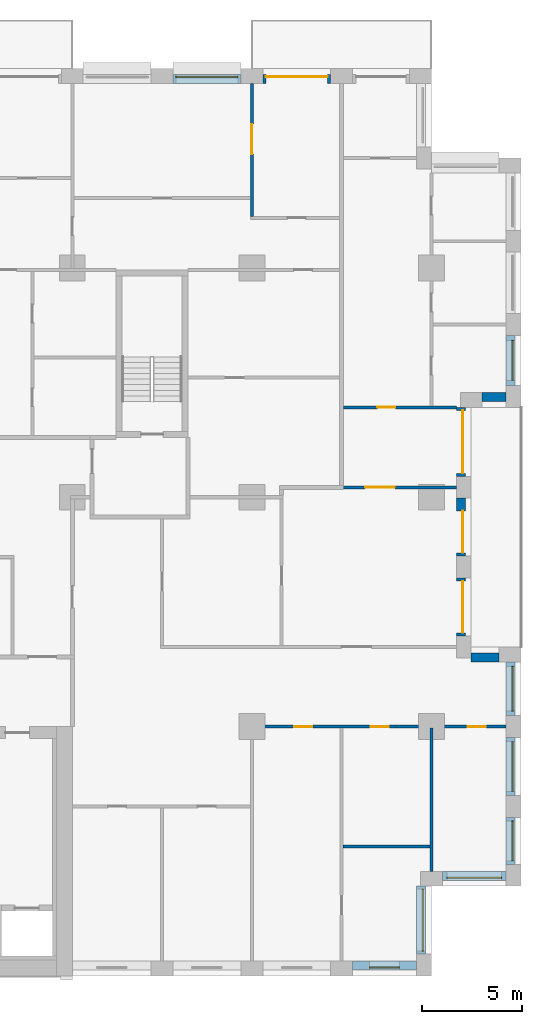
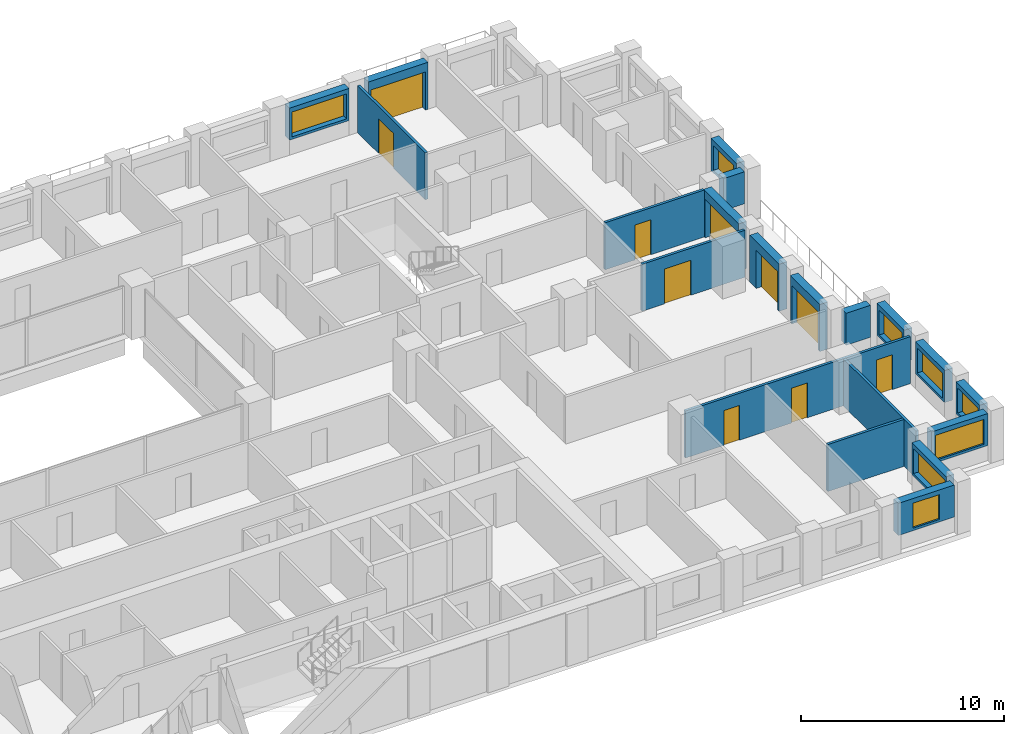
# One storey, part 14 of 16: 20 walls, 10 doors, 8 windows, 18 openings.
"""IFC4 building model written with IfcOpenShell, lengths in metres."""

from ifc_helpers import new_model, si_unit, direction, frame, frame_2d, origin, place, context, subcontext, project, spatial, rectangle, extrude, material, layer, layer_set, type_object, element, fill, save


model = new_model("IFC4")

# Units and contexts
model_context = context("Model", 3, precision=1e-05, world=origin(), true_north=direction((0.0, 1.0)))
body_context = subcontext(model_context, "Body", "Model", "MODEL_VIEW")
ifc_project = project(units=[si_unit("LENGTHUNIT", "METRE"), si_unit("AREAUNIT", "SQUARE_METRE"), si_unit("VOLUMEUNIT", "CUBIC_METRE"), si_unit("PLANEANGLEUNIT", "RADIAN"), si_unit("MASSUNIT", "GRAM", prefix="KILO")], contexts=[model_context])

# Site, building, storey
site_placement = place(None, origin())
site = spatial("IfcSite", under=ifc_project, at=site_placement, CompositionType="ELEMENT")
building_placement = place(site_placement, origin())
building = spatial("IfcBuilding", under=site, at=building_placement, Name="Brigalow Station Residences", CompositionType="ELEMENT")
storey_placement = place(building_placement, frame((0.0, 0.0, 115.050048828125)))
storey = spatial("IfcBuildingStorey", under=building, at=storey_placement, Name="L33", CompositionType="ELEMENT", Elevation=115.050048828125)

# Wall, opening, window
ifc_material_1 = material(Name="Clay brick masonry", Category="masonry")
ifc_layer_1 = layer(ifc_material_1, 0.449951171875)
ifc_layer_set_1 = layer_set([ifc_layer_1], Name="BRICK INFILL WALL 450")
wall_type_1 = type_object("IfcWallType", Name="BRICK INFILL WALL 450", PredefinedType="SOLIDWALL", material=ifc_layer_set_1)
wall_1_placement = place(storey_placement, frame((68.050048828125, 0.52490234375, 0.89990234375), z_axis=(0.0, 0.0, 1.0), x_axis=(1.0, 0.0, 0.0)))
wall_1 = element("IfcWall", 1, at=wall_1_placement, inside=storey, type_object=wall_type_1, Name="L33/ewall/W-L33-7", PredefinedType="SOLIDWALL", context=body_context, shape_type="SweptSolid", body=[
    extrude(rectangle(XDim=3.199951171875, YDim=0.449951171875, at=frame_2d((1.60009765625, 0.0))), origin(), (0.0, 0.0, 1.0), 1.929931640625),
])
opening_1_placement = place(wall_1_placement, frame((0.85009765625, 0.0, 0.14990234375)))
opening_1 = element("IfcOpeningElement", 2, at=opening_1_placement, cuts=wall_1, Name="Opening WT-1", PredefinedType="OPENING", context=body_context, shape_type="SweptSolid", body=[
    extrude(rectangle(XDim=1.5, YDim=1.5, at=frame_2d((0.75, 0.75))), frame((0.0, 0.23486328125, 0.0), z_axis=(0.0, -1.0, 0.0), x_axis=(1.0, 0.0, 0.0)), (0.0, 0.0, 1.0), 0.469970703125),
])
ifc_material_2 = material(Name="Anodised aluminium frame with double glazing", Category="aluminium")
window_type_1 = type_object("IfcWindowType", Name="WINDOW 1500x1500", PartitioningType="SINGLE_PANEL", PredefinedType="WINDOW", material=ifc_material_2)
window_1_placement = place(opening_1_placement, origin())
window_1 = element("IfcWindow", 3, at=window_1_placement, inside=storey, type_object=window_type_1, Name="L33/window/W-L33-7", OverallHeight=1.5, OverallWidth=1.5, PartitioningType="SINGLE_PANEL", PredefinedType="WINDOW", context=body_context, shape_type="SweptSolid", body=[
    extrude(rectangle(XDim=1.5, YDim=1.5, at=frame_2d((0.75, 0.75))), frame((0.0, -0.06494140625, 0.0), z_axis=(0.0, -1.0, 0.0), x_axis=(1.0, 0.0, 0.0)), (0.0, 0.0, 1.0), 0.06005859375),
])
fill(opening_1, window_1)

wall_2_placement = place(storey_placement, frame((71.47509765625, 1.10009765625, 0.89990234375), z_axis=(0.0, 0.0, 1.0), x_axis=(0.0, 1.0, 0.0)))
wall_2 = element("IfcWall", 4, at=wall_2_placement, inside=storey, type_object=wall_type_1, Name="L33/ewall/W-L33-8", PredefinedType="SOLIDWALL", context=body_context, shape_type="SweptSolid", body=[
    extrude(rectangle(XDim=3.39990234375, YDim=0.449951171875, at=frame_2d((1.699951171875, 0.0))), origin(), (0.0, 0.0, 1.0), 1.929931640625),
])
opening_2_placement = place(wall_2_placement, frame((0.14990234375, 0.0, 0.14990234375)))
opening_2 = element("IfcOpeningElement", 5, at=opening_2_placement, cuts=wall_2, Name="Opening WT-8", PredefinedType="OPENING", context=body_context, shape_type="SweptSolid", body=[
    extrude(rectangle(XDim=3.10009765625, YDim=1.5, at=frame_2d((1.550048828125, 0.75))), frame((0.0, 0.23486328125, 0.0), z_axis=(0.0, -1.0, 0.0), x_axis=(1.0, 0.0, 0.0)), (0.0, 0.0, 1.0), 0.469970703125),
])
ifc_material_3 = material(Name="Anodised aluminium frame with double glazing", Category="aluminium")
window_type_2 = type_object("IfcWindowType", Name="WINDOW 3100x1500", PartitioningType="SINGLE_PANEL", PredefinedType="WINDOW", material=ifc_material_3)
window_2_placement = place(opening_2_placement, origin())
window_2 = element("IfcWindow", 6, at=window_2_placement, inside=storey, type_object=window_type_2, Name="L33/window/W-L33-8", OverallHeight=1.5, OverallWidth=3.10009765625, PartitioningType="SINGLE_PANEL", PredefinedType="WINDOW", context=body_context, shape_type="SweptSolid", body=[
    extrude(rectangle(XDim=3.10009765625, YDim=1.5, at=frame_2d((1.550048828125, 0.75))), frame((0.0, -0.06494140625, 0.0), z_axis=(0.0, -1.0, 0.0), x_axis=(1.0, 0.0, 0.0)), (0.0, 0.0, 1.0), 0.06005859375),
])
fill(opening_2, window_2)

wall_3_placement = place(storey_placement, frame((72.550048828125, 5.02490234375, 0.89990234375), z_axis=(0.0, 0.0, 1.0), x_axis=(1.0, 0.0, 0.0)))
wall_3 = element("IfcWall", 7, at=wall_3_placement, inside=storey, type_object=wall_type_1, Name="L33/ewall/W-L33-9", PredefinedType="SOLIDWALL", context=body_context, shape_type="SweptSolid", body=[
    extrude(rectangle(XDim=3.199951171875, YDim=0.449951171875, at=frame_2d((1.60009765625, 0.0))), origin(), (0.0, 0.0, 1.0), 1.929931640625),
])
opening_3_placement = place(wall_3_placement, frame((0.22509765625, 0.0, 0.14990234375)))
opening_3 = element("IfcOpeningElement", 8, at=opening_3_placement, cuts=wall_3, Name="Opening WT-3", PredefinedType="OPENING", context=body_context, shape_type="SweptSolid", body=[
    extrude(rectangle(XDim=2.75, YDim=1.5, at=frame_2d((1.375, 0.75))), frame((0.0, 0.23486328125, 0.0), z_axis=(0.0, -1.0, 0.0), x_axis=(1.0, 0.0, 0.0)), (0.0, 0.0, 1.0), 0.469970703125),
])
ifc_material_4 = material(Name="Anodised aluminium frame with double glazing", Category="aluminium")
window_type_3 = type_object("IfcWindowType", Name="WINDOW 2750x1500", PartitioningType="SINGLE_PANEL", PredefinedType="WINDOW", material=ifc_material_4)
window_3_placement = place(opening_3_placement, origin())
window_3 = element("IfcWindow", 9, at=window_3_placement, inside=storey, type_object=window_type_3, Name="L33/window/W-L33-9", OverallHeight=1.5, OverallWidth=2.75, PartitioningType="SINGLE_PANEL", PredefinedType="WINDOW", context=body_context, shape_type="SweptSolid", body=[
    extrude(rectangle(XDim=2.75, YDim=1.5, at=frame_2d((1.375, 0.75))), frame((0.0, -0.06494140625, 0.0), z_axis=(0.0, -1.0, 0.0), x_axis=(1.0, 0.0, 0.0)), (0.0, 0.0, 1.0), 0.06005859375),
])
fill(opening_3, window_3)

wall_4_placement = place(storey_placement, frame((75.97509765625, 5.60009765625, 0.89990234375), z_axis=(0.0, 0.0, 1.0), x_axis=(0.0, 1.0, 0.0)))
wall_4 = element("IfcWall", 10, at=wall_4_placement, inside=storey, type_object=wall_type_1, Name="L33/ewall/W-L33-10", PredefinedType="SOLIDWALL", context=body_context, shape_type="SweptSolid", body=[
    extrude(rectangle(XDim=2.349853515625, YDim=0.449951171875, at=frame_2d((1.1748046875, 0.0))), origin(), (0.0, 0.0, 1.0), 1.929931640625),
])
opening_4_placement = place(wall_4_placement, frame((0.175048828125, 0.0, 0.14990234375)))
opening_4 = element("IfcOpeningElement", 11, at=opening_4_placement, cuts=wall_4, Name="Opening WT-7", PredefinedType="OPENING", context=body_context, shape_type="SweptSolid", body=[
    extrude(rectangle(XDim=2.0, YDim=1.5, at=frame_2d((1.0, 0.75))), frame((0.0, 0.23486328125, 0.0), z_axis=(0.0, -1.0, 0.0), x_axis=(1.0, 0.0, 0.0)), (0.0, 0.0, 1.0), 0.469970703125),
])
ifc_material_5 = material(Name="Anodised aluminium frame with double glazing", Category="aluminium")
window_type_4 = type_object("IfcWindowType", Name="WINDOW 2000x1500", PartitioningType="SINGLE_PANEL", PredefinedType="WINDOW", material=ifc_material_5)
window_4_placement = place(opening_4_placement, origin())
window_4 = element("IfcWindow", 12, at=window_4_placement, inside=storey, type_object=window_type_4, Name="L33/window/W-L33-10", OverallHeight=1.5, OverallWidth=2.0, PartitioningType="SINGLE_PANEL", PredefinedType="WINDOW", context=body_context, shape_type="SweptSolid", body=[
    extrude(rectangle(XDim=2.0, YDim=1.5, at=frame_2d((1.0, 0.75))), frame((0.0, -0.06494140625, 0.0), z_axis=(0.0, -1.0, 0.0), x_axis=(1.0, 0.0, 0.0)), (0.0, 0.0, 1.0), 0.06005859375),
])
fill(opening_4, window_4)

wall_5_placement = place(storey_placement, frame((75.97509765625, 9.050048828125, 0.89990234375), z_axis=(0.0, 0.0, 1.0), x_axis=(0.0, 1.0, 0.0)))
wall_5 = element("IfcWall", 13, at=wall_5_placement, inside=storey, type_object=wall_type_1, Name="L33/ewall/W-L33-11", PredefinedType="SOLIDWALL", context=body_context, shape_type="SweptSolid", body=[
    extrude(rectangle(XDim=2.89990234375, YDim=0.449951171875, at=frame_2d((1.449951171875, 0.0))), origin(), (0.0, 0.0, 1.0), 1.929931640625),
])
opening_5_placement = place(wall_5_placement, frame((0.199951171875, 0.0, 0.14990234375)))
opening_5 = element("IfcOpeningElement", 14, at=opening_5_placement, cuts=wall_5, Name="Opening WT-5", PredefinedType="OPENING", context=body_context, shape_type="SweptSolid", body=[
    extrude(rectangle(XDim=2.5, YDim=1.5, at=frame_2d((1.25, 0.75))), frame((0.0, 0.23486328125, 0.0), z_axis=(0.0, -1.0, 0.0), x_axis=(1.0, 0.0, 0.0)), (0.0, 0.0, 1.0), 0.469970703125),
])
ifc_material_6 = material(Name="Anodised aluminium frame with double glazing", Category="aluminium")
window_type_5 = type_object("IfcWindowType", Name="WINDOW 2500x1500", PartitioningType="SINGLE_PANEL", PredefinedType="WINDOW", material=ifc_material_6)
window_5_placement = place(opening_5_placement, origin())
window_5 = element("IfcWindow", 15, at=window_5_placement, inside=storey, type_object=window_type_5, Name="L33/window/W-L33-11", OverallHeight=1.5, OverallWidth=2.5, PartitioningType="SINGLE_PANEL", PredefinedType="WINDOW", context=body_context, shape_type="SweptSolid", body=[
    extrude(rectangle(XDim=2.5, YDim=1.5, at=frame_2d((1.25, 0.75))), frame((0.0, -0.06494140625, 0.0), z_axis=(0.0, -1.0, 0.0), x_axis=(1.0, 0.0, 0.0)), (0.0, 0.0, 1.0), 0.06005859375),
])
fill(opening_5, window_5)

wall_6_placement = place(storey_placement, frame((75.97509765625, 13.050048828125, 0.89990234375), z_axis=(0.0, 0.0, 1.0), x_axis=(0.0, 1.0, 0.0)))
wall_6 = element("IfcWall", 16, at=wall_6_placement, inside=storey, type_object=wall_type_1, Name="L33/ewall/W-L33-12", PredefinedType="SOLIDWALL", context=body_context, shape_type="SweptSolid", body=[
    extrude(rectangle(XDim=2.699951171875, YDim=0.449951171875, at=frame_2d((1.35009765625, 0.0))), origin(), (0.0, 0.0, 1.0), 1.929931640625),
])
opening_6_placement = place(wall_6_placement, frame((0.22509765625, 0.0, 0.14990234375)))
opening_6 = element("IfcOpeningElement", 17, at=opening_6_placement, cuts=wall_6, Name="Opening WT-6", PredefinedType="OPENING", context=body_context, shape_type="SweptSolid", body=[
    extrude(rectangle(XDim=2.25, YDim=1.5, at=frame_2d((1.125, 0.75))), frame((0.0, 0.23486328125, 0.0), z_axis=(0.0, -1.0, 0.0), x_axis=(1.0, 0.0, 0.0)), (0.0, 0.0, 1.0), 0.469970703125),
])
ifc_material_7 = material(Name="Anodised aluminium frame with double glazing", Category="aluminium")
window_type_6 = type_object("IfcWindowType", Name="WINDOW 2250x1500", PartitioningType="SINGLE_PANEL", PredefinedType="WINDOW", material=ifc_material_7)
window_6_placement = place(opening_6_placement, origin())
window_6 = element("IfcWindow", 18, at=window_6_placement, inside=storey, type_object=window_type_6, Name="L33/window/W-L33-12", OverallHeight=1.5, OverallWidth=2.25, PartitioningType="SINGLE_PANEL", PredefinedType="WINDOW", context=body_context, shape_type="SweptSolid", body=[
    extrude(rectangle(XDim=2.25, YDim=1.5, at=frame_2d((1.125, 0.75))), frame((0.0, -0.06494140625, 0.0), z_axis=(0.0, -1.0, 0.0), x_axis=(1.0, 0.0, 0.0)), (0.0, 0.0, 1.0), 0.06005859375),
])
fill(opening_6, window_6)

# Wall
wall_7_placement = place(storey_placement, frame((75.39990234375, 15.97509765625, 0.89990234375), z_axis=(0.0, 0.0, 1.0), x_axis=(-1.0, 0.0, 0.0)))
element("IfcWall", 19, at=wall_7_placement, inside=storey, type_object=wall_type_1, Name="L33/ewall/W-L33-13", PredefinedType="SOLIDWALL", context=body_context, shape_type="SweptSolid", body=[
    extrude(rectangle(XDim=1.39990234375, YDim=0.449951171875, at=frame_2d((0.699951171875, 0.0))), origin(), (0.0, 0.0, 1.0), 1.929931640625),
])

# Wall, opening, door
wall_8_placement = place(storey_placement, frame((73.47509765625, 17.050048828125, 0.0), z_axis=(0.0, 0.0, 1.0), x_axis=(0.0, 1.0, 0.0)))
wall_8 = element("IfcWall", 20, at=wall_8_placement, inside=storey, type_object=wall_type_1, Name="L33/ewall/W-L33-14", PredefinedType="SOLIDWALL", context=body_context, shape_type="SweptSolid", body=[
    extrude(rectangle(XDim=2.89990234375, YDim=0.449951171875, at=frame_2d((1.449951171875, 0.0))), origin(), (0.0, 0.0, 1.0), 2.829833984375),
])
opening_7_placement = place(wall_8_placement, frame((0.14990234375, 0.0, 0.0)))
opening_7 = element("IfcOpeningElement", 21, at=opening_7_placement, cuts=wall_8, Name="Opening D-B2600", PredefinedType="OPENING", context=body_context, shape_type="SweptSolid", body=[
    extrude(rectangle(XDim=2.60009765625, YDim=2.300048828125, at=frame_2d((1.300048828125, 1.14990234375))), frame((0.0, 0.23486328125, 0.0), z_axis=(0.0, -1.0, 0.0), x_axis=(1.0, 0.0, 0.0)), (0.0, 0.0, 1.0), 0.469970703125),
])
ifc_material_8 = material(Name="Anodised aluminium frame with double glazing", Category="aluminium")
door_type_1 = type_object("IfcDoorType", Name="BALCONY SLIDING DOOR 2600x2300", OperationType="SLIDING_TO_LEFT", PredefinedType="DOOR", material=ifc_material_8)
door_1_placement = place(opening_7_placement, origin())
door_1 = element("IfcDoor", 22, at=door_1_placement, inside=storey, type_object=door_type_1, Name="L33/balcony-door/W-L33-14", OperationType="SLIDING_TO_LEFT", OverallHeight=2.300048828125, OverallWidth=2.60009765625, PredefinedType="DOOR", context=body_context, shape_type="SweptSolid", body=[
    extrude(rectangle(XDim=2.60009765625, YDim=2.300048828125, at=frame_2d((1.300048828125, 1.14990234375))), frame((0.0, -0.06982421875, 0.0), z_axis=(0.0, -1.0, 0.0), x_axis=(1.0, 0.0, 0.0)), (0.0, 0.0, 1.0), 0.050048828125),
])
fill(opening_7, door_1)

wall_9_placement = place(storey_placement, frame((73.47509765625, 21.050048828125, 0.0), z_axis=(0.0, 0.0, 1.0), x_axis=(0.0, 1.0, 0.0)))
wall_9 = element("IfcWall", 23, at=wall_9_placement, inside=storey, type_object=wall_type_1, Name="L33/ewall/W-L33-15", PredefinedType="SOLIDWALL", context=body_context, shape_type="SweptSolid", body=[
    extrude(rectangle(XDim=2.89990234375, YDim=0.449951171875, at=frame_2d((1.449951171875, 0.0))), origin(), (0.0, 0.0, 1.0), 2.829833984375),
])
opening_8_placement = place(wall_9_placement, frame((0.1650390625, 0.0, 0.0)))
opening_8 = element("IfcOpeningElement", 24, at=opening_8_placement, cuts=wall_9, Name="Opening D-B2100", PredefinedType="OPENING", context=body_context, shape_type="SweptSolid", body=[
    extrude(rectangle(XDim=2.10009765625, YDim=2.300048828125, at=frame_2d((1.050048828125, 1.14990234375))), frame((0.0, 0.23486328125, 0.0), z_axis=(0.0, -1.0, 0.0), x_axis=(1.0, 0.0, 0.0)), (0.0, 0.0, 1.0), 0.469970703125),
])
ifc_material_9 = material(Name="Anodised aluminium frame with double glazing", Category="aluminium")
door_type_2 = type_object("IfcDoorType", Name="BALCONY SLIDING DOOR 2100x2300", OperationType="SLIDING_TO_LEFT", PredefinedType="DOOR", material=ifc_material_9)
door_2_placement = place(opening_8_placement, origin())
door_2 = element("IfcDoor", 25, at=door_2_placement, inside=storey, type_object=door_type_2, Name="L33/balcony-door/W-L33-15", OperationType="SLIDING_TO_LEFT", OverallHeight=2.300048828125, OverallWidth=2.10009765625, PredefinedType="DOOR", context=body_context, shape_type="SweptSolid", body=[
    extrude(rectangle(XDim=2.10009765625, YDim=2.300048828125, at=frame_2d((1.050048828125, 1.14990234375))), frame((0.0, -0.06982421875, 0.0), z_axis=(0.0, -1.0, 0.0), x_axis=(1.0, 0.0, 0.0)), (0.0, 0.0, 1.0), 0.050048828125),
])
fill(opening_8, door_2)

wall_10_placement = place(storey_placement, frame((73.47509765625, 25.050048828125, 0.0), z_axis=(0.0, 0.0, 1.0), x_axis=(0.0, 1.0, 0.0)))
wall_10 = element("IfcWall", 26, at=wall_10_placement, inside=storey, type_object=wall_type_1, Name="L33/ewall/W-L33-16", PredefinedType="SOLIDWALL", context=body_context, shape_type="SweptSolid", body=[
    extrude(rectangle(XDim=3.449951171875, YDim=0.449951171875, at=frame_2d((1.72509765625, 0.0))), origin(), (0.0, 0.0, 1.0), 2.829833984375),
])
opening_9_placement = place(wall_10_placement, frame((0.14990234375, 0.0, 0.0)))
opening_9 = element("IfcOpeningElement", 27, at=opening_9_placement, cuts=wall_10, Name="Opening D-B3150", PredefinedType="OPENING", context=body_context, shape_type="SweptSolid", body=[
    extrude(rectangle(XDim=3.14990234375, YDim=2.300048828125, at=frame_2d((1.574951171875, 1.14990234375))), frame((0.0, 0.23486328125, 0.0), z_axis=(0.0, -1.0, 0.0), x_axis=(1.0, 0.0, 0.0)), (0.0, 0.0, 1.0), 0.469970703125),
])
ifc_material_10 = material(Name="Anodised aluminium frame with double glazing", Category="aluminium")
door_type_3 = type_object("IfcDoorType", Name="BALCONY SLIDING DOOR 3150x2300", OperationType="SLIDING_TO_LEFT", PredefinedType="DOOR", material=ifc_material_10)
door_3_placement = place(opening_9_placement, origin())
door_3 = element("IfcDoor", 28, at=door_3_placement, inside=storey, type_object=door_type_3, Name="L33/balcony-door/W-L33-16", OperationType="SLIDING_TO_LEFT", OverallHeight=2.300048828125, OverallWidth=3.14990234375, PredefinedType="DOOR", context=body_context, shape_type="SweptSolid", body=[
    extrude(rectangle(XDim=3.14990234375, YDim=2.300048828125, at=frame_2d((1.574951171875, 1.14990234375))), frame((0.0, -0.06982421875, 0.0), z_axis=(0.0, -1.0, 0.0), x_axis=(1.0, 0.0, 0.0)), (0.0, 0.0, 1.0), 0.050048828125),
])
fill(opening_9, door_3)

# Wall
wall_11_placement = place(storey_placement, frame((74.550048828125, 29.02490234375, 0.89990234375), z_axis=(0.0, 0.0, 1.0), x_axis=(1.0, 0.0, 0.0)))
element("IfcWall", 29, at=wall_11_placement, inside=storey, type_object=wall_type_1, Name="L33/ewall/W-L33-17", PredefinedType="SOLIDWALL", context=body_context, shape_type="SweptSolid", body=[
    extrude(rectangle(XDim=1.199951171875, YDim=0.449951171875, at=frame_2d((0.60009765625, 0.0))), origin(), (0.0, 0.0, 1.0), 1.929931640625),
])

# Wall, opening, window
wall_12_placement = place(storey_placement, frame((75.97509765625, 29.60009765625, 0.89990234375), z_axis=(0.0, 0.0, 1.0), x_axis=(0.0, 1.0, 0.0)))
wall_12 = element("IfcWall", 30, at=wall_12_placement, inside=storey, type_object=wall_type_1, Name="L33/ewall/W-L33-18", PredefinedType="SOLIDWALL", context=body_context, shape_type="SweptSolid", body=[
    extrude(rectangle(XDim=2.516845703125, YDim=0.449951171875, at=frame_2d((1.25830078125, 0.0))), origin(), (0.0, 0.0, 1.0), 1.929931640625),
])
opening_10_placement = place(wall_12_placement, frame((0.258544921875, 0.0, 0.14990234375)))
opening_10 = element("IfcOpeningElement", 31, at=opening_10_placement, cuts=wall_12, Name="Opening WT-7", PredefinedType="OPENING", context=body_context, shape_type="SweptSolid", body=[
    extrude(rectangle(XDim=2.0, YDim=1.5, at=frame_2d((1.0, 0.75))), frame((0.0, 0.23486328125, 0.0), z_axis=(0.0, -1.0, 0.0), x_axis=(1.0, 0.0, 0.0)), (0.0, 0.0, 1.0), 0.469970703125),
])
window_7_placement = place(opening_10_placement, origin())
window_7 = element("IfcWindow", 32, at=window_7_placement, inside=storey, type_object=window_type_4, Name="L33/window/W-L33-18", OverallHeight=1.5, OverallWidth=2.0, PartitioningType="SINGLE_PANEL", PredefinedType="WINDOW", context=body_context, shape_type="SweptSolid", body=[
    extrude(rectangle(XDim=2.0, YDim=1.5, at=frame_2d((1.0, 0.75))), frame((0.0, -0.06494140625, 0.0), z_axis=(0.0, -1.0, 0.0), x_axis=(1.0, 0.0, 0.0)), (0.0, 0.0, 1.0), 0.06005859375),
])
fill(opening_10, window_7)

# Wall, opening, door
wall_13_placement = place(storey_placement, frame((66.949951171875, 44.97509765625, 0.0), z_axis=(0.0, 0.0, 1.0), x_axis=(-1.0, 0.0, 0.0)))
wall_13 = element("IfcWall", 33, at=wall_13_placement, inside=storey, type_object=wall_type_1, Name="L33/ewall/W-L33-24", PredefinedType="SOLIDWALL", context=body_context, shape_type="SweptSolid", body=[
    extrude(rectangle(XDim=3.39990234375, YDim=0.449951171875, at=frame_2d((1.699951171875, 0.0))), origin(), (0.0, 0.0, 1.0), 2.829833984375),
])
opening_11_placement = place(wall_13_placement, frame((0.14990234375, 0.0, 0.0)))
opening_11 = element("IfcOpeningElement", 34, at=opening_11_placement, cuts=wall_13, Name="Opening D-B3100", PredefinedType="OPENING", context=body_context, shape_type="SweptSolid", body=[
    extrude(rectangle(XDim=3.10009765625, YDim=2.300048828125, at=frame_2d((1.550048828125, 1.14990234375))), frame((0.0, 0.23486328125, 0.0), z_axis=(0.0, -1.0, 0.0), x_axis=(1.0, 0.0, 0.0)), (0.0, 0.0, 1.0), 0.469970703125),
])
ifc_material_11 = material(Name="Anodised aluminium frame with double glazing", Category="aluminium")
door_type_4 = type_object("IfcDoorType", Name="BALCONY SLIDING DOOR 3100x2300", OperationType="SLIDING_TO_LEFT", PredefinedType="DOOR", material=ifc_material_11)
door_4_placement = place(opening_11_placement, origin())
door_4 = element("IfcDoor", 35, at=door_4_placement, inside=storey, type_object=door_type_4, Name="L33/balcony-door/W-L33-24", OperationType="SLIDING_TO_LEFT", OverallHeight=2.300048828125, OverallWidth=3.10009765625, PredefinedType="DOOR", context=body_context, shape_type="SweptSolid", body=[
    extrude(rectangle(XDim=3.10009765625, YDim=2.300048828125, at=frame_2d((1.550048828125, 1.14990234375))), frame((0.0, -0.06982421875, 0.0), z_axis=(0.0, -1.0, 0.0), x_axis=(1.0, 0.0, 0.0)), (0.0, 0.0, 1.0), 0.050048828125),
])
fill(opening_11, door_4)

# Wall, opening, window
wall_14_placement = place(storey_placement, frame((62.449951171875, 44.97509765625, 0.89990234375), z_axis=(0.0, 0.0, 1.0), x_axis=(-1.0, 0.0, 0.0)))
wall_14 = element("IfcWall", 36, at=wall_14_placement, inside=storey, type_object=wall_type_1, Name="L33/ewall/W-L33-25", PredefinedType="SOLIDWALL", context=body_context, shape_type="SweptSolid", body=[
    extrude(rectangle(XDim=3.39990234375, YDim=0.449951171875, at=frame_2d((1.699951171875, 0.0))), origin(), (0.0, 0.0, 1.0), 1.929931640625),
])
opening_12_placement = place(wall_14_placement, frame((0.14990234375, 0.0, 0.14990234375)))
opening_12 = element("IfcOpeningElement", 37, at=opening_12_placement, cuts=wall_14, Name="Opening WT-8", PredefinedType="OPENING", context=body_context, shape_type="SweptSolid", body=[
    extrude(rectangle(XDim=3.10009765625, YDim=1.5, at=frame_2d((1.550048828125, 0.75))), frame((0.0, 0.23486328125, 0.0), z_axis=(0.0, -1.0, 0.0), x_axis=(1.0, 0.0, 0.0)), (0.0, 0.0, 1.0), 0.469970703125),
])
window_8_placement = place(opening_12_placement, origin())
window_8 = element("IfcWindow", 38, at=window_8_placement, inside=storey, type_object=window_type_2, Name="L33/window/W-L33-25", OverallHeight=1.5, OverallWidth=3.10009765625, PartitioningType="SINGLE_PANEL", PredefinedType="WINDOW", context=body_context, shape_type="SweptSolid", body=[
    extrude(rectangle(XDim=3.10009765625, YDim=1.5, at=frame_2d((1.550048828125, 0.75))), frame((0.0, -0.06494140625, 0.0), z_axis=(0.0, -1.0, 0.0), x_axis=(1.0, 0.0, 0.0)), (0.0, 0.0, 1.0), 0.06005859375),
])
fill(opening_12, window_8)

# Wall, openings, doors
ifc_material_12 = material(Name="Plasterboard on steel stud partition", Category="steel")
ifc_layer_2 = layer(ifc_material_12, 0.14990234375)
ifc_layer_set_2 = layer_set([ifc_layer_2], Name="FLAT PARTITION 150")
wall_type_2 = type_object("IfcWallType", Name="FLAT PARTITION 150", PredefinedType="PARTITIONING", material=ifc_layer_set_2)
wall_15_placement = place(storey_placement, frame((62.925048828125, 12.5, 0.0), z_axis=(0.0, 0.0, 1.0), x_axis=(1.0, 0.0, 0.0)))
wall_15 = element("IfcWall", 39, at=wall_15_placement, inside=storey, type_object=wall_type_2, Name="PW-2D11", PredefinedType="PARTITIONING", context=body_context, shape_type="SweptSolid", body=[
    extrude(rectangle(XDim=12.824951171875, YDim=0.14990234375, at=frame_2d((6.41259765625, 0.0))), origin(), (0.0, 0.0, 1.0), 2.829833984375),
])
opening_13_placement = place(wall_15_placement, frame((6.050048828125, 0.0, 0.0)))
opening_13 = element("IfcOpeningElement", 40, at=opening_13_placement, cuts=wall_15, Name="Opening D-2D34", PredefinedType="OPENING", context=body_context, shape_type="SweptSolid", body=[
    extrude(rectangle(XDim=0.89990234375, YDim=2.10009765625, at=frame_2d((0.449951171875, 1.050048828125))), frame((0.0, 0.0849609375, 0.0), z_axis=(0.0, -1.0, 0.0), x_axis=(1.0, 0.0, 0.0)), (0.0, 0.0, 1.0), 0.169921875),
])
opening_14_placement = place(wall_15_placement, frame((2.199951171875, 0.0, 0.0)))
opening_14 = element("IfcOpeningElement", 41, at=opening_14_placement, cuts=wall_15, Name="Opening D-2D36", PredefinedType="OPENING", context=body_context, shape_type="SweptSolid", body=[
    extrude(rectangle(XDim=0.89990234375, YDim=2.10009765625, at=frame_2d((0.449951171875, 1.050048828125))), frame((0.0, 0.0849609375, 0.0), z_axis=(0.0, -1.0, 0.0), x_axis=(1.0, 0.0, 0.0)), (0.0, 0.0, 1.0), 0.169921875),
])
opening_15_placement = place(wall_15_placement, frame((10.89990234375, 0.0, 0.0)))
opening_15 = element("IfcOpeningElement", 42, at=opening_15_placement, cuts=wall_15, Name="Opening D-2D38", PredefinedType="OPENING", context=body_context, shape_type="SweptSolid", body=[
    extrude(rectangle(XDim=0.89990234375, YDim=2.10009765625, at=frame_2d((0.449951171875, 1.050048828125))), frame((0.0, 0.0849609375, 0.0), z_axis=(0.0, -1.0, 0.0), x_axis=(1.0, 0.0, 0.0)), (0.0, 0.0, 1.0), 0.169921875),
])
ifc_material_13 = material(Name="Solid-core timber door leaf", Category="wood")
door_type_5 = type_object("IfcDoorType", Name="INTERNAL DOOR 900 x 2100", OperationType="SINGLE_SWING_LEFT", PredefinedType="DOOR", material=ifc_material_13)
door_5_placement = place(opening_13_placement, frame((0.89990234375, 0.0, 0.0), z_axis=(0.0, 0.0, 1.0), x_axis=(-1.0, 0.0, 0.0)))
door_5 = element("IfcDoor", 43, at=door_5_placement, inside=storey, type_object=door_type_5, Name="D-2D34", OperationType="SINGLE_SWING_RIGHT", OverallHeight=2.10009765625, OverallWidth=0.89990234375, PredefinedType="DOOR", context=body_context, shape_type="SweptSolid", body=[
    extrude(rectangle(XDim=0.89990234375, YDim=2.10009765625, at=frame_2d((0.449951171875, 1.050048828125))), frame((0.0, 0.02490234375, 0.0), z_axis=(0.0, -1.0, 0.0), x_axis=(1.0, 0.0, 0.0)), (0.0, 0.0, 1.0), 0.050048828125),
])
fill(opening_13, door_5)
door_6_placement = place(opening_14_placement, frame((0.89990234375, 0.0, 0.0), z_axis=(0.0, 0.0, 1.0), x_axis=(-1.0, 0.0, 0.0)))
door_6 = element("IfcDoor", 44, at=door_6_placement, inside=storey, type_object=door_type_5, Name="D-2D36", OperationType="SINGLE_SWING_LEFT", OverallHeight=2.10009765625, OverallWidth=0.89990234375, PredefinedType="DOOR", context=body_context, shape_type="SweptSolid", body=[
    extrude(rectangle(XDim=0.89990234375, YDim=2.10009765625, at=frame_2d((0.449951171875, 1.050048828125))), frame((0.0, 0.02490234375, 0.0), z_axis=(0.0, -1.0, 0.0), x_axis=(1.0, 0.0, 0.0)), (0.0, 0.0, 1.0), 0.050048828125),
])
fill(opening_14, door_6)
door_7_placement = place(opening_15_placement, frame((0.89990234375, 0.0, 0.0), z_axis=(0.0, 0.0, 1.0), x_axis=(-1.0, 0.0, 0.0)))
door_7 = element("IfcDoor", 45, at=door_7_placement, inside=storey, type_object=door_type_5, Name="D-2D38", OperationType="SINGLE_SWING_LEFT", OverallHeight=2.10009765625, OverallWidth=0.89990234375, PredefinedType="DOOR", context=body_context, shape_type="SweptSolid", body=[
    extrude(rectangle(XDim=0.89990234375, YDim=2.10009765625, at=frame_2d((0.449951171875, 1.050048828125))), frame((0.0, 0.02490234375, 0.0), z_axis=(0.0, -1.0, 0.0), x_axis=(1.0, 0.0, 0.0)), (0.0, 0.0, 1.0), 0.050048828125),
])
fill(opening_15, door_7)

# Wall, opening, door
wall_16_placement = place(storey_placement, frame((67.39990234375, 24.5, 0.0), z_axis=(0.0, 0.0, 1.0), x_axis=(1.0, 0.0, 0.0)))
wall_16 = element("IfcWall", 46, at=wall_16_placement, inside=storey, type_object=wall_type_2, Name="PW-2D17", PredefinedType="PARTITIONING", context=body_context, shape_type="SweptSolid", body=[
    extrude(rectangle(XDim=5.85009765625, YDim=0.14990234375, at=frame_2d((2.925048828125, 0.0))), origin(), (0.0, 0.0, 1.0), 2.829833984375),
])
opening_16_placement = place(wall_16_placement, frame((1.27490234375, 0.0, 0.0)))
opening_16 = element("IfcOpeningElement", 47, at=opening_16_placement, cuts=wall_16, Name="Opening D-2D42", PredefinedType="OPENING", context=body_context, shape_type="SweptSolid", body=[
    extrude(rectangle(XDim=1.5, YDim=2.10009765625, at=frame_2d((0.75, 1.050048828125))), frame((0.0, 0.0849609375, 0.0), z_axis=(0.0, -1.0, 0.0), x_axis=(1.0, 0.0, 0.0)), (0.0, 0.0, 1.0), 0.169921875),
])
ifc_material_14 = material(Name="Solid-core timber door leaf", Category="wood")
door_type_6 = type_object("IfcDoorType", Name="INTERNAL DOUBLE DOOR 1500 x 2100", OperationType="DOUBLE_DOOR_SINGLE_SWING", PredefinedType="DOOR", material=ifc_material_14)
door_8_placement = place(opening_16_placement, origin())
door_8 = element("IfcDoor", 48, at=door_8_placement, inside=storey, type_object=door_type_6, Name="D-2D42", OperationType="DOUBLE_DOOR_SINGLE_SWING", OverallHeight=2.10009765625, OverallWidth=1.5, PredefinedType="DOOR", context=body_context, shape_type="SweptSolid", body=[
    extrude(rectangle(XDim=1.5, YDim=2.10009765625, at=frame_2d((0.75, 1.050048828125))), frame((0.0, 0.02490234375, 0.0), z_axis=(0.0, -1.0, 0.0), x_axis=(1.0, 0.0, 0.0)), (0.0, 0.0, 1.0), 0.050048828125),
])
fill(opening_16, door_8)

wall_17_placement = place(storey_placement, frame((67.60009765625, 28.5, 0.0), z_axis=(0.0, 0.0, 1.0), x_axis=(1.0, 0.0, 0.0)))
wall_17 = element("IfcWall", 49, at=wall_17_placement, inside=storey, type_object=wall_type_2, Name="PW-2D20", PredefinedType="PARTITIONING", context=body_context, shape_type="SweptSolid", body=[
    extrude(rectangle(XDim=5.64990234375, YDim=0.14990234375, at=frame_2d((2.824951171875, 0.0))), origin(), (0.0, 0.0, 1.0), 2.829833984375),
])
opening_17_placement = place(wall_17_placement, frame((1.699951171875, 0.0, 0.0)))
opening_17 = element("IfcOpeningElement", 50, at=opening_17_placement, cuts=wall_17, Name="Opening D-2D43", PredefinedType="OPENING", context=body_context, shape_type="SweptSolid", body=[
    extrude(rectangle(XDim=0.89990234375, YDim=2.10009765625, at=frame_2d((0.449951171875, 1.050048828125))), frame((0.0, 0.0849609375, 0.0), z_axis=(0.0, -1.0, 0.0), x_axis=(1.0, 0.0, 0.0)), (0.0, 0.0, 1.0), 0.169921875),
])
door_9_placement = place(opening_17_placement, frame((0.89990234375, 0.0, 0.0), z_axis=(0.0, 0.0, 1.0), x_axis=(-1.0, 0.0, 0.0)))
door_9 = element("IfcDoor", 51, at=door_9_placement, inside=storey, type_object=door_type_5, Name="D-2D43", OperationType="SINGLE_SWING_RIGHT", OverallHeight=2.10009765625, OverallWidth=0.89990234375, PredefinedType="DOOR", context=body_context, shape_type="SweptSolid", body=[
    extrude(rectangle(XDim=0.89990234375, YDim=2.10009765625, at=frame_2d((0.449951171875, 1.050048828125))), frame((0.0, 0.02490234375, 0.0), z_axis=(0.0, -1.0, 0.0), x_axis=(1.0, 0.0, 0.0)), (0.0, 0.0, 1.0), 0.050048828125),
])
fill(opening_17, door_9)

# Wall
wall_18_placement = place(storey_placement, frame((67.574951171875, 6.5, 0.0), z_axis=(0.0, 0.0, 1.0), x_axis=(1.0, 0.0, 0.0)))
element("IfcWall", 52, at=wall_18_placement, inside=storey, type_object=wall_type_2, Name="PW-2D35", PredefinedType="PARTITIONING", context=body_context, shape_type="SweptSolid", body=[
    extrude(rectangle(XDim=4.35009765625, YDim=0.14990234375, at=frame_2d((2.175048828125, 0.0))), origin(), (0.0, 0.0, 1.0), 2.829833984375),
])

# Wall, opening, door
wall_19_placement = place(storey_placement, frame((63.0, 38.074951171875, 0.0), z_axis=(0.0, 0.0, 1.0), x_axis=(0.0, 1.0, 0.0)))
wall_19 = element("IfcWall", 53, at=wall_19_placement, inside=storey, type_object=wall_type_2, Name="PW-2D59", PredefinedType="PARTITIONING", context=body_context, shape_type="SweptSolid", body=[
    extrude(rectangle(XDim=6.675048828125, YDim=0.14990234375, at=frame_2d((3.33740234375, 0.0))), origin(), (0.0, 0.0, 1.0), 2.829833984375),
])
opening_18_placement = place(wall_19_placement, frame((3.125, 0.0, 0.0)))
opening_18 = element("IfcOpeningElement", 54, at=opening_18_placement, cuts=wall_19, Name="Opening D-2D29", PredefinedType="OPENING", context=body_context, shape_type="SweptSolid", body=[
    extrude(rectangle(XDim=1.5, YDim=2.10009765625, at=frame_2d((0.75, 1.050048828125))), frame((0.0, 0.0849609375, 0.0), z_axis=(0.0, -1.0, 0.0), x_axis=(1.0, 0.0, 0.0)), (0.0, 0.0, 1.0), 0.169921875),
])
door_10_placement = place(opening_18_placement, frame((1.5, 0.0, 0.0), z_axis=(0.0, 0.0, 1.0), x_axis=(-1.0, 0.0, 0.0)))
door_10 = element("IfcDoor", 55, at=door_10_placement, inside=storey, type_object=door_type_6, Name="D-2D29", OperationType="DOUBLE_DOOR_SINGLE_SWING", OverallHeight=2.10009765625, OverallWidth=1.5, PredefinedType="DOOR", context=body_context, shape_type="SweptSolid", body=[
    extrude(rectangle(XDim=1.5, YDim=2.10009765625, at=frame_2d((0.75, 1.050048828125))), frame((0.0, 0.02490234375, 0.0), z_axis=(0.0, -1.0, 0.0), x_axis=(1.0, 0.0, 0.0)), (0.0, 0.0, 1.0), 0.050048828125),
])
fill(opening_18, door_10)

# Wall
wall_20_placement = place(storey_placement, frame((72.0, 5.25, 0.0), z_axis=(0.0, 0.0, 1.0), x_axis=(0.0, 1.0, 0.0)))
element("IfcWall", 56, at=wall_20_placement, inside=storey, type_object=wall_type_2, Name="PW-2D66", PredefinedType="PARTITIONING", context=body_context, shape_type="SweptSolid", body=[
    extrude(rectangle(XDim=7.175048828125, YDim=0.14990234375, at=frame_2d((3.58740234375, 0.0))), origin(), (0.0, 0.0, 1.0), 2.829833984375),
])

save(model, "model.ifc")
